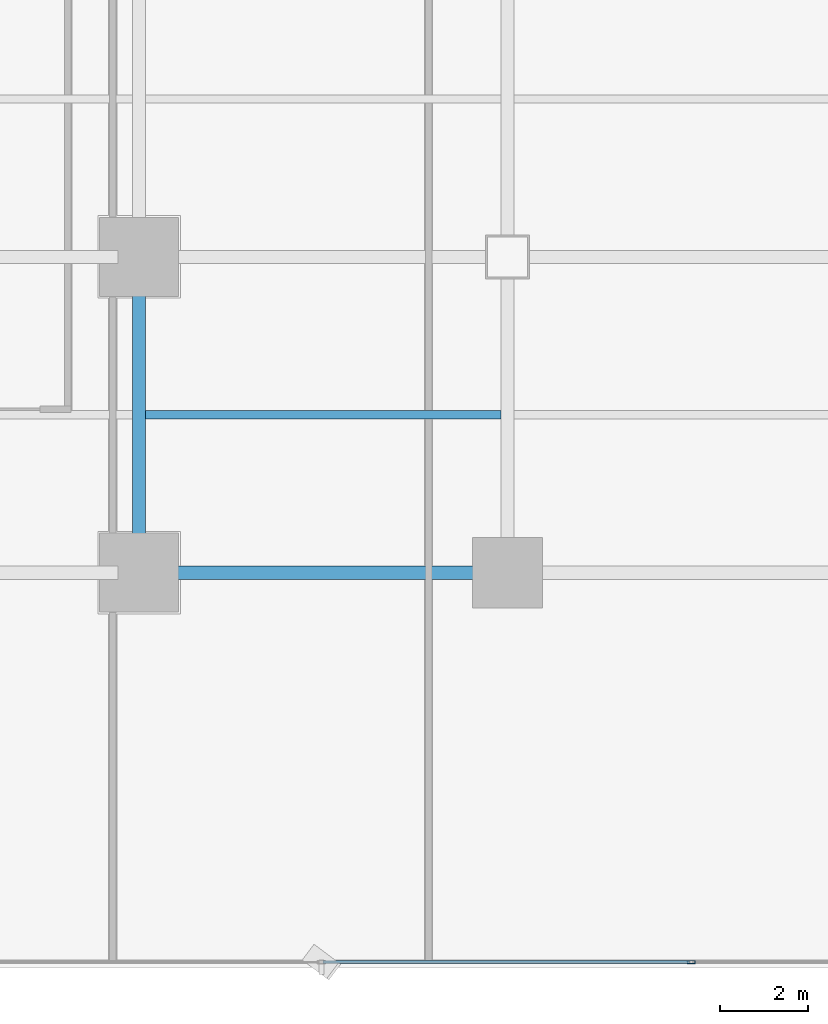
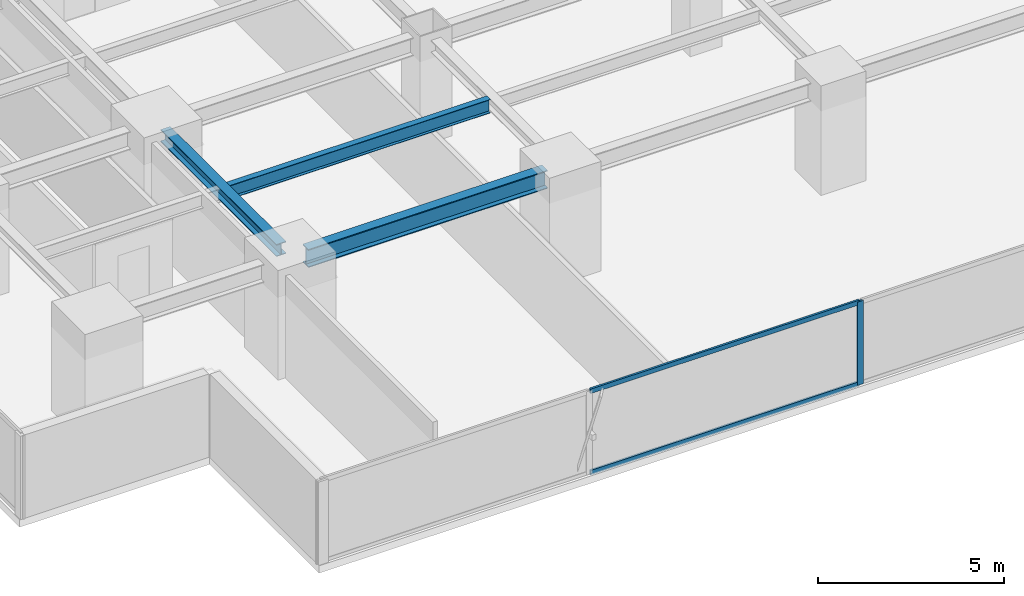
# One storey, part 4 of 32: 3 beams, 3 members, 1 element without a shape of its own.
"""IFC4 building model written with IfcOpenShell, lengths in metres."""

from ifc_helpers import new_model, si_unit, direction, frame, origin, origin_2d, place, context, subcontext, project, spatial, hollow_rectangle, i_section, extrude, source, transform, mapped, material, layer, layer_set, material_profile, profile_set, type_object, element, aggregate, save


model = new_model("IFC4")

# Units and contexts
model_context = context("Model", 3, precision=1e-05, world=origin(), true_north=direction((0.0, 1.0)))
body_context = subcontext(model_context, "Body", "Model", "MODEL_VIEW")
ifc_project = project(units=[si_unit("LENGTHUNIT", "METRE"), si_unit("AREAUNIT", "SQUARE_METRE"), si_unit("VOLUMEUNIT", "CUBIC_METRE"), si_unit("PLANEANGLEUNIT", "RADIAN"), si_unit("MASSUNIT", "GRAM", prefix="KILO")], contexts=[model_context])

# Site, building, storey
site_placement = place(None, origin())
site = spatial("IfcSite", under=ifc_project, at=site_placement, CompositionType="ELEMENT")
building_placement = place(site_placement, origin())
building = spatial("IfcBuilding", under=site, at=building_placement, Name="Sumidabori Civic Tower", CompositionType="ELEMENT")
storey_placement = place(building_placement, frame((0.0, 0.0, 45.199951171875)))
storey = spatial("IfcBuildingStorey", under=building, at=storey_placement, Name="L11", CompositionType="ELEMENT", Elevation=45.199951171875)

# Beams
ifc_material_1 = material(Name="Steel SN490", Category="steel")
ifc_material_profile_1 = material_profile(ifc_material_1, i_section(OverallWidth=0.300048828125, OverallDepth=0.60009765625, WebThickness=0.015380859375, FlangeThickness=0.030029296875, at=origin_2d()), Name="HE 600 B")
ifc_profile_set_1 = profile_set([ifc_material_profile_1], Name="Steel SN490")
beam_type_1 = type_object("IfcBeamType", Name="BM-GIRD-600", PredefinedType="BEAM", material=ifc_profile_set_1)
shared_shape_1 = source(origin(), body_context, "Body", "SweptSolid", [
    extrude(i_section(OverallWidth=0.300048828125, OverallDepth=0.60009765625, WebThickness=0.015380859375, FlangeThickness=0.030029296875, at=origin_2d()), origin(), (0.0, 0.0, 1.0), 7.440185546875),
])
beam_1_placement = place(storey_placement, frame((-16.320068359375, -18.0, 3.06005859375), z_axis=(1.0, 0.0, 0.0), x_axis=(0.0, 1.0, 0.0)))
element("IfcBeam", 1, at=beam_1_placement, inside=storey, type_object=beam_type_1, Name="Primary Girder L11 GX-02", PredefinedType="BEAM", context=body_context, shape_type="MappedRepresentation", body=[
    mapped(shared_shape_1, transform((0.0, 0.0, 0.0), x_axis=(1.0, 0.0, 0.0), y_axis=(0.0, 1.0, 0.0), z_axis=(0.0, 0.0, 1.0), scale=1.0)),
])
ifc_material_profile_2 = material_profile(ifc_material_1, i_section(OverallWidth=0.300048828125, OverallDepth=0.39990234375, WebThickness=0.013427734375, FlangeThickness=0.02392578125, at=origin_2d()), Name="HE 400 B")
ifc_profile_set_2 = profile_set([ifc_material_profile_2], Name="Steel SN490")
beam_type_2 = type_object("IfcBeamType", Name="BM-GIRD-400", PredefinedType="BEAM", material=ifc_profile_set_2)
shared_shape_2 = source(origin(), body_context, "Body", "SweptSolid", [
    extrude(i_section(OverallWidth=0.300048828125, OverallDepth=0.39990234375, WebThickness=0.013427734375, FlangeThickness=0.02392578125, at=origin_2d()), origin(), (0.0, 0.0, 1.0), 6.239990234375),
])
beam_2_placement = place(storey_placement, frame((-16.800048828125, -17.52001953125, 3.16015625), z_axis=(0.0, 1.0, 0.0), x_axis=(-1.0, 0.0, 0.0)))
element("IfcBeam", 2, at=beam_2_placement, inside=storey, type_object=beam_type_2, Name="Primary Girder L11 GY-25", PredefinedType="BEAM", context=body_context, shape_type="MappedRepresentation", body=[
    mapped(shared_shape_2, transform((0.0, 0.0, 0.0), x_axis=(1.0, 0.0, 0.0), y_axis=(0.0, 1.0, 0.0), z_axis=(0.0, 0.0, 1.0), scale=1.0)),
])
ifc_material_profile_3 = material_profile(ifc_material_1, i_section(OverallWidth=0.18994140625, OverallDepth=0.449951171875, WebThickness=0.009521484375, FlangeThickness=0.0146484375, at=origin_2d()), Name="IPE 450")
ifc_profile_set_3 = profile_set([ifc_material_profile_3], Name="Steel SN490")
beam_type_3 = type_object("IfcBeamType", Name="BM-JST-450", PredefinedType="JOIST", material=ifc_profile_set_3)
shared_shape_3 = source(origin(), body_context, "Body", "SweptSolid", [
    extrude(i_section(OverallWidth=0.18994140625, OverallDepth=0.449951171875, WebThickness=0.009521484375, FlangeThickness=0.0146484375, at=origin_2d()), origin(), (0.0, 0.0, 1.0), 8.099853515625),
])
beam_3_placement = place(storey_placement, frame((-16.64990234375, -14.39990234375, 3.135009765625), z_axis=(1.0, 0.0, 0.0), x_axis=(0.0, 1.0, 0.0)))
element("IfcBeam", 3, at=beam_3_placement, inside=storey, type_object=beam_type_3, Name="South Bay Floor Joist L11 JSTS-61", PredefinedType="JOIST", context=body_context, shape_type="MappedRepresentation", body=[
    mapped(shared_shape_3, transform((0.0, 0.0, 0.0), x_axis=(1.0, 0.0, 0.0), y_axis=(0.0, 1.0, 0.0), z_axis=(0.0, 0.0, 1.0), scale=1.0)),
])

# Curtain wall, members
ifc_material_2 = material(Name="Anodised Bronze Aluminium AW-6063-T6", Category="aluminium")
ifc_layer = layer(ifc_material_2, 0.179931640625, Name="Anodised Bronze Aluminium AW-6063-T6")
ifc_layer_set = layer_set([ifc_layer], Name="Anodised Bronze Aluminium AW-6063-T6")
curtain_wall_type = type_object("IfcCurtainWallType", Name="CW-SYS-2", PredefinedType="NOTDEFINED", material=ifc_layer_set)
curtain_wall_placement = place(storey_placement, origin())
curtain_wall = element("IfcCurtainWall", 4, at=curtain_wall_placement, inside=storey, type_object=curtain_wall_type, Name="Curtain Wall CW:L11:R01", PredefinedType="NOTDEFINED")
ifc_material_profile_4 = material_profile(ifc_material_2, hollow_rectangle(XDim=0.070068359375, YDim=0.179931640625, WallThickness=0.006103515625, at=origin_2d()), Name="ALU MULLION 180x70")
ifc_profile_set_4 = profile_set([ifc_material_profile_4], Name="Anodised Bronze Aluminium AW-6063-T6")
member_type_1 = type_object("IfcMemberType", Name="CW-MUL-180", PredefinedType="MULLION", material=ifc_profile_set_4)
shared_shape_4 = source(origin(), body_context, "Body", "SweptSolid", [
    extrude(hollow_rectangle(XDim=0.070068359375, YDim=0.179931640625, WallThickness=0.006103515625, at=origin_2d()), origin(), (0.0, 0.0, 1.0), 2.739990234375),
])
member_1_placement = place(storey_placement, frame((-4.214111328125, -26.8798828125, 0.0), z_axis=(0.0, 0.0, 1.0), x_axis=(0.0, 1.0, 0.0)))
member_1 = element("IfcMember", 5, at=member_1_placement, type_object=member_type_1, Name="CW-2 mullion 3", PredefinedType="MULLION", context=body_context, shape_type="MappedRepresentation", body=[
    mapped(shared_shape_4, transform((0.0, 0.0, 0.0), x_axis=(1.0, 0.0, 0.0), y_axis=(0.0, 1.0, 0.0), z_axis=(0.0, 0.0, 1.0), scale=1.0)),
])
ifc_material_profile_5 = material_profile(ifc_material_2, hollow_rectangle(XDim=0.06494140625, YDim=0.14990234375, WallThickness=0.0048828125, at=origin_2d()), Name="ALU TRANSOM 150x65")
ifc_profile_set_5 = profile_set([ifc_material_profile_5], Name="Anodised Bronze Aluminium AW-6063-T6")
member_type_2 = type_object("IfcMemberType", Name="CW-TRN-150", PredefinedType="USERDEFINED", material=ifc_profile_set_5)
shared_shape_5 = source(origin(), body_context, "Body", "SweptSolid", [
    extrude(hollow_rectangle(XDim=0.06494140625, YDim=0.14990234375, WallThickness=0.0048828125, at=origin_2d()), origin(), (0.0, 0.0, 1.0), 8.35791015625),
])
member_2_placement = place(storey_placement, frame((-12.60693359375, -26.8798828125, 0.032470703125), z_axis=(1.0, 0.0, 0.0), x_axis=(0.0, 1.0, 0.0)))
member_2 = element("IfcMember", 6, at=member_2_placement, type_object=member_type_2, Name="CW-2 transom 2.1", ObjectType="TRANSOM", PredefinedType="USERDEFINED", context=body_context, shape_type="MappedRepresentation", body=[
    mapped(shared_shape_5, transform((0.0, 0.0, 0.0), x_axis=(1.0, 0.0, 0.0), y_axis=(0.0, 1.0, 0.0), z_axis=(0.0, 0.0, 1.0), scale=1.0)),
])
member_3_placement = place(storey_placement, frame((-12.60693359375, -26.8798828125, 2.70751953125), z_axis=(1.0, 0.0, 0.0), x_axis=(0.0, 1.0, 0.0)))
member_3 = element("IfcMember", 7, at=member_3_placement, type_object=member_type_2, Name="CW-2 transom 2.2", ObjectType="TRANSOM", PredefinedType="USERDEFINED", context=body_context, shape_type="MappedRepresentation", body=[
    mapped(shared_shape_5, transform((0.0, 0.0, 0.0), x_axis=(1.0, 0.0, 0.0), y_axis=(0.0, 1.0, 0.0), z_axis=(0.0, 0.0, 1.0), scale=1.0)),
])
aggregate(curtain_wall, [member_1, member_2, member_3])

save(model, "model.ifc")
